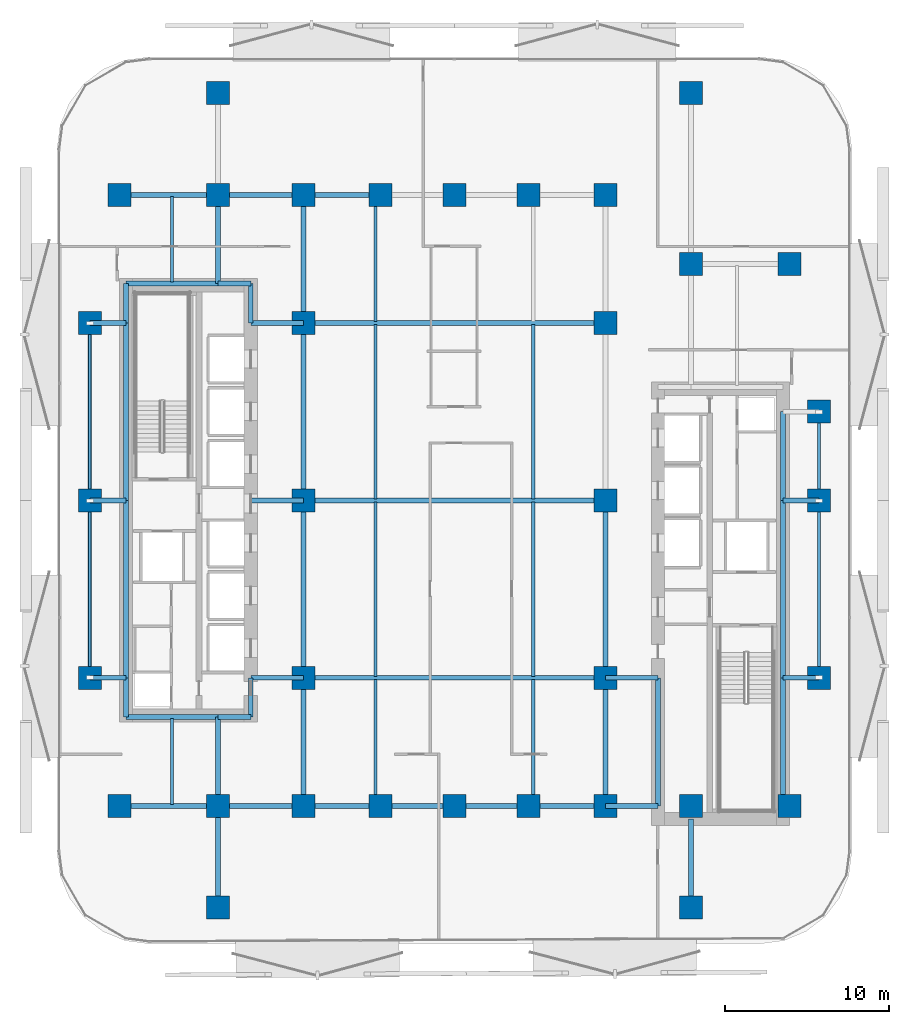
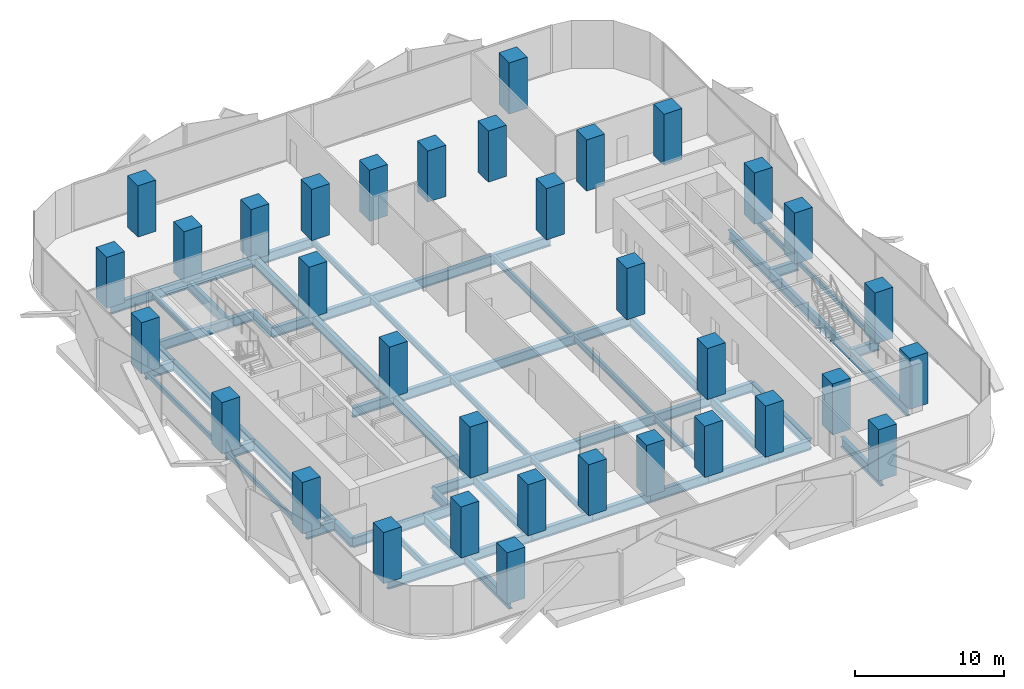
# One storey, part 1 of 14: 59 beams, 34 columns.
"""IFC4 building model written with IfcOpenShell, lengths in metres."""

from ifc_helpers import new_model, si_unit, direction, frame, origin, origin_2d, place, context, subcontext, project, spatial, rectangle, hollow_rectangle, i_section, extrude, material, material_profile, profile_set, type_object, element, save


model = new_model("IFC4")

# Units and contexts
model_context = context("Model", 3, precision=1e-05, world=origin(), true_north=direction((0.0, 1.0)))
body_context = subcontext(model_context, "Body", "Model", "MODEL_VIEW")
ifc_project = project(units=[si_unit("LENGTHUNIT", "METRE"), si_unit("AREAUNIT", "SQUARE_METRE"), si_unit("VOLUMEUNIT", "CUBIC_METRE"), si_unit("PLANEANGLEUNIT", "RADIAN"), si_unit("MASSUNIT", "GRAM", prefix="KILO")], contexts=[model_context])

# Site, building, storey
site_placement = place(None, origin())
site = spatial("IfcSite", under=ifc_project, at=site_placement, CompositionType="ELEMENT")
building_placement = place(site_placement, origin())
building = spatial("IfcBuilding", under=site, at=building_placement, Name="Khairoan Windgate Tower", CompositionType="ELEMENT")
storey_placement = place(building_placement, frame((0.0, 0.0, 63.800048828125)))
storey = spatial("IfcBuildingStorey", under=building, at=storey_placement, Name="L15", CompositionType="ELEMENT", Elevation=63.800048828125)

# Columns
ifc_material_1 = material(Name="Concrete C60/75", Category="concrete")
ifc_material_profile_1 = material_profile(ifc_material_1, rectangle(XDim=1.39990234375, YDim=1.39990234375, at=origin_2d()))
ifc_profile_set_1 = profile_set([ifc_material_profile_1], Name="Concrete C60/75")
column_type = type_object("IfcColumnType", Name="Column C-T2 RC1400x1400", PredefinedType="COLUMN", material=ifc_profile_set_1)
for number, where, z_axis, x_axis, name in (
    (1, (-9.199951171875, -18.60009765625, 0.0), (0.0, 0.0, 1.0), (1.0, 0.0, 0.0), "Column L15-01"),
    (2, (-9.199951171875, -10.800048828125, 0.0), (0.0, 0.0, 1.0), (1.0, 0.0, 0.0), "Column L15-02"),
    (3, (-9.199951171875, 0.0, 0.0), (0.0, 0.0, 1.0), (1.0, 0.0, 0.0), "Column L15-03"),
    (4, (-9.199951171875, 10.800048828125, 0.0), (0.0, 0.0, 1.0), (1.0, 0.0, 0.0), "Column L15-04"),
    (5, (-9.199951171875, 18.60009765625, 0.0), (0.0, 0.0, 1.0), (1.0, 0.0, 0.0), "Column L15-05"),
    (6, (9.199951171875, -18.60009765625, 0.0), (0.0, 0.0, 1.0), (1.0, 0.0, 0.0), "Column L15-06"),
    (7, (9.199951171875, -10.800048828125, 0.0), (0.0, 0.0, 1.0), (1.0, 0.0, 0.0), "Column L15-07"),
    (8, (9.199951171875, 0.0, 0.0), (0.0, 0.0, 1.0), (1.0, 0.0, 0.0), "Column L15-08"),
    (9, (9.199951171875, 10.800048828125, 0.0), (0.0, 0.0, 1.0), (1.0, 0.0, 0.0), "Column L15-09"),
    (10, (9.199951171875, 18.60009765625, 0.0), (0.0, 0.0, 1.0), (1.0, 0.0, 0.0), "Column L15-10"),
    (11, (-20.39990234375, -18.60009765625, 0.0), (0.0, 0.0, 1.0), (1.0, 0.0, 0.0), "Column L15-11"),
    (12, (-20.39990234375, 18.60009765625, 0.0), (0.0, 0.0, 1.0), (1.0, 0.0, 0.0), "Column L15-12"),
    (13, (20.39990234375, -18.60009765625, 0.0), (0.0, 0.0, 1.0), (1.0, 0.0, 0.0), "Column L15-13"),
    (14, (20.39990234375, 14.39990234375, 0.0), (0.0, 0.0, 1.0), (1.0, 0.0, 0.0), "Column L15-14"),
    (15, (-14.39990234375, -18.60009765625, 0.0), (0.0, 0.0, 1.0), (1.0, 0.0, 0.0), "Column L15-15"),
    (16, (-14.39990234375, 18.60009765625, 0.0), (0.0, 0.0, 1.0), (1.0, 0.0, 0.0), "Column L15-16"),
    (17, (14.39990234375, -18.60009765625, 0.0), (0.0, 0.0, 1.0), (1.0, 0.0, 0.0), "Column L15-17"),
    (18, (14.39990234375, 14.39990234375, 0.0), (0.0, 0.0, 1.0), (1.0, 0.0, 0.0), "Column L15-18"),
    (19, (-4.5, -18.60009765625, 0.0), (0.0, 0.0, 1.0), (1.0, 0.0, 0.0), "Column L15-19"),
    (20, (0.0, -18.60009765625, 0.0), (0.0, 0.0, 1.0), (1.0, 0.0, 0.0), "Column L15-20"),
    (21, (4.5, -18.60009765625, 0.0), (0.0, 0.0, 1.0), (1.0, 0.0, 0.0), "Column L15-21"),
    (22, (-4.5, 18.60009765625, 0.0), (0.0, 0.0, 1.0), (1.0, 0.0, 0.0), "Column L15-22"),
    (23, (0.0, 18.60009765625, 0.0), (0.0, 0.0, 1.0), (1.0, 0.0, 0.0), "Column L15-23"),
    (24, (4.5, 18.60009765625, 0.0), (0.0, 0.0, 1.0), (1.0, 0.0, 0.0), "Column L15-24"),
    (25, (-22.199951171875, -10.800048828125, 0.0), (0.0, 0.0, 1.0), (1.0, 0.0, 0.0), "Column L15-25"),
    (26, (-22.199951171875, 0.0, 0.0), (0.0, 0.0, 1.0), (1.0, 0.0, 0.0), "Column L15-26"),
    (27, (-22.199951171875, 10.800048828125, 0.0), (0.0, 0.0, 1.0), (1.0, 0.0, 0.0), "Column L15-27"),
    (28, (22.199951171875, -10.800048828125, 0.0), (0.0, 0.0, 1.0), (1.0, 0.0, 0.0), "Column L15-28"),
    (29, (22.199951171875, 0.0, 0.0), (0.0, 0.0, 1.0), (1.0, 0.0, 0.0), "Column L15-29"),
    (30, (22.199951171875, 5.39990234375, 0.0), (0.0, 0.0, 1.0), (1.0, 0.0, 0.0), "Column L15-30"),
    (31, (-14.39990234375, -24.800048828125, 0.0), (0.0, 0.0, 1.0), (1.0, 0.0, 0.0), "Column L15-31"),
    (32, (-14.39990234375, 24.800048828125, 0.0), (0.0, 0.0, 1.0), (1.0, 0.0, 0.0), "Column L15-32"),
    (33, (14.39990234375, -24.800048828125, 0.0), (0.0, 0.0, 1.0), (1.0, 0.0, 0.0), "Column L15-33"),
    (34, (14.39990234375, 24.800048828125, 0.0), (0.0, 0.0, 1.0), (1.0, 0.0, 0.0), "Column L15-34"),
):
    element("IfcColumn", number, at=place(storey_placement, frame(where, z_axis=z_axis, x_axis=x_axis)), inside=storey, type_object=column_type, Name=name, PredefinedType="COLUMN", context=body_context, shape_type="SweptSolid", body=[
        extrude(rectangle(XDim=1.39990234375, YDim=1.39990234375, at=origin_2d()), origin(), (0.0, 0.0, 1.0), 4.199951171875),
    ])

# Beams
ifc_material_2 = material(Name="Steel S355", Category="steel")
ifc_material_profile_2 = material_profile(ifc_material_2, i_section(OverallWidth=0.300048828125, OverallDepth=0.800048828125, WebThickness=0.013916015625, FlangeThickness=0.02587890625, FilletRadius=0.028076171875, at=origin_2d()))
ifc_profile_set_2 = profile_set([ifc_material_profile_2], Name="Steel S355")
beam_type_1 = type_object("IfcBeamType", Name="Beam B-G2 H800x300x14x26", PredefinedType="BEAM", material=ifc_profile_set_2)
beam_1_placement = place(storey_placement, frame((-20.39990234375, -18.60009765625, -0.66015625), z_axis=(1.0, 0.0, 0.0), x_axis=(0.0, 1.0, 0.0)))
element("IfcBeam", 35, at=beam_1_placement, inside=storey, type_object=beam_type_1, Name="L15 E-W Primary Girder 01", PredefinedType="BEAM", context=body_context, shape_type="SweptSolid", body=[
    extrude(i_section(OverallWidth=0.300048828125, OverallDepth=0.800048828125, WebThickness=0.013916015625, FlangeThickness=0.02587890625, FilletRadius=0.028076171875, at=origin_2d()), origin(), (0.0, 0.0, 1.0), 6.0),
])
beam_2_placement = place(storey_placement, frame((-14.39990234375, -18.60009765625, -0.66015625), z_axis=(1.0, 0.0, 0.0), x_axis=(0.0, 1.0, 0.0)))
element("IfcBeam", 36, at=beam_2_placement, inside=storey, type_object=beam_type_1, Name="L15 E-W Primary Girder 02", PredefinedType="BEAM", context=body_context, shape_type="SweptSolid", body=[
    extrude(i_section(OverallWidth=0.300048828125, OverallDepth=0.800048828125, WebThickness=0.013916015625, FlangeThickness=0.02587890625, FilletRadius=0.028076171875, at=origin_2d()), origin(), (0.0, 0.0, 1.0), 5.199951171875),
])
beam_3_placement = place(storey_placement, frame((-9.199951171875, -18.60009765625, -0.66015625), z_axis=(1.0, 0.0, 0.0), x_axis=(0.0, 1.0, 0.0)))
element("IfcBeam", 37, at=beam_3_placement, inside=storey, type_object=beam_type_1, Name="L15 E-W Primary Girder 03", PredefinedType="BEAM", context=body_context, shape_type="SweptSolid", body=[
    extrude(i_section(OverallWidth=0.300048828125, OverallDepth=0.800048828125, WebThickness=0.013916015625, FlangeThickness=0.02587890625, FilletRadius=0.028076171875, at=origin_2d()), origin(), (0.0, 0.0, 1.0), 4.699951171875),
])
for number, where, z_axis, x_axis, name in (
    (38, (-4.5, -18.60009765625, -0.66015625), (1.0, 0.0, 0.0), (0.0, 1.0, 0.0), "L15 E-W Primary Girder 04"),
    (39, (0.0, -18.60009765625, -0.66015625), (1.0, 0.0, 0.0), (0.0, 1.0, 0.0), "L15 E-W Primary Girder 05"),
):
    element("IfcBeam", number, at=place(storey_placement, frame(where, z_axis=z_axis, x_axis=x_axis)), inside=storey, type_object=beam_type_1, Name=name, PredefinedType="BEAM", context=body_context, shape_type="SweptSolid", body=[
        extrude(i_section(OverallWidth=0.300048828125, OverallDepth=0.800048828125, WebThickness=0.013916015625, FlangeThickness=0.02587890625, FilletRadius=0.028076171875, at=origin_2d()), origin(), (0.0, 0.0, 1.0), 4.5),
    ])
beam_4_placement = place(storey_placement, frame((4.5, -18.60009765625, -0.66015625), z_axis=(1.0, 0.0, 0.0), x_axis=(0.0, 1.0, 0.0)))
element("IfcBeam", 40, at=beam_4_placement, inside=storey, type_object=beam_type_1, Name="L15 E-W Primary Girder 06", PredefinedType="BEAM", context=body_context, shape_type="SweptSolid", body=[
    extrude(i_section(OverallWidth=0.300048828125, OverallDepth=0.800048828125, WebThickness=0.013916015625, FlangeThickness=0.02587890625, FilletRadius=0.028076171875, at=origin_2d()), origin(), (0.0, 0.0, 1.0), 4.699951171875),
])
beam_5_placement = place(storey_placement, frame((9.199951171875, -18.60009765625, -0.66015625), z_axis=(1.0, 0.0, 0.0), x_axis=(0.0, 1.0, 0.0)))
element("IfcBeam", 41, at=beam_5_placement, inside=storey, type_object=beam_type_1, Name="L15 E-W Primary Girder 07", PredefinedType="BEAM", context=body_context, shape_type="SweptSolid", body=[
    extrude(i_section(OverallWidth=0.300048828125, OverallDepth=0.800048828125, WebThickness=0.013916015625, FlangeThickness=0.02587890625, FilletRadius=0.028076171875, at=origin_2d()), origin(), (0.0, 0.0, 1.0), 3.199951171875),
])
beam_6_placement = place(storey_placement, frame((-20.0, -13.199951171875, -0.66015625), z_axis=(1.0, 0.0, 0.0), x_axis=(0.0, 1.0, 0.0)))
element("IfcBeam", 42, at=beam_6_placement, inside=storey, type_object=beam_type_1, Name="L15 E-W Primary Girder 08", PredefinedType="BEAM", context=body_context, shape_type="SweptSolid", body=[
    extrude(i_section(OverallWidth=0.300048828125, OverallDepth=0.800048828125, WebThickness=0.013916015625, FlangeThickness=0.02587890625, FilletRadius=0.028076171875, at=origin_2d()), origin(), (0.0, 0.0, 1.0), 5.60009765625),
])
beam_7_placement = place(storey_placement, frame((-14.39990234375, -13.199951171875, -0.66015625), z_axis=(1.0, 0.0, 0.0), x_axis=(0.0, 1.0, 0.0)))
element("IfcBeam", 43, at=beam_7_placement, inside=storey, type_object=beam_type_1, Name="L15 E-W Primary Girder 09", PredefinedType="BEAM", context=body_context, shape_type="SweptSolid", body=[
    extrude(i_section(OverallWidth=0.300048828125, OverallDepth=0.800048828125, WebThickness=0.013916015625, FlangeThickness=0.02587890625, FilletRadius=0.028076171875, at=origin_2d()), origin(), (0.0, 0.0, 1.0), 2.0),
])
beam_8_placement = place(storey_placement, frame((-22.199951171875, -10.800048828125, -0.66015625), z_axis=(1.0, 0.0, 0.0), x_axis=(0.0, 1.0, 0.0)))
element("IfcBeam", 44, at=beam_8_placement, inside=storey, type_object=beam_type_1, Name="L15 E-W Primary Girder 10", PredefinedType="BEAM", context=body_context, shape_type="SweptSolid", body=[
    extrude(i_section(OverallWidth=0.300048828125, OverallDepth=0.800048828125, WebThickness=0.013916015625, FlangeThickness=0.02587890625, FilletRadius=0.028076171875, at=origin_2d()), origin(), (0.0, 0.0, 1.0), 2.199951171875),
])
beam_9_placement = place(storey_placement, frame((-12.39990234375, -10.800048828125, -0.66015625), z_axis=(1.0, 0.0, 0.0), x_axis=(0.0, 1.0, 0.0)))
element("IfcBeam", 45, at=beam_9_placement, inside=storey, type_object=beam_type_1, Name="L15 E-W Primary Girder 11", PredefinedType="BEAM", context=body_context, shape_type="SweptSolid", body=[
    extrude(i_section(OverallWidth=0.300048828125, OverallDepth=0.800048828125, WebThickness=0.013916015625, FlangeThickness=0.02587890625, FilletRadius=0.028076171875, at=origin_2d()), origin(), (0.0, 0.0, 1.0), 3.199951171875),
])
beam_10_placement = place(storey_placement, frame((-9.199951171875, -10.800048828125, -0.66015625), z_axis=(1.0, 0.0, 0.0), x_axis=(0.0, 1.0, 0.0)))
element("IfcBeam", 46, at=beam_10_placement, inside=storey, type_object=beam_type_1, Name="L15 E-W Primary Girder 12", PredefinedType="BEAM", context=body_context, shape_type="SweptSolid", body=[
    extrude(i_section(OverallWidth=0.300048828125, OverallDepth=0.800048828125, WebThickness=0.013916015625, FlangeThickness=0.02587890625, FilletRadius=0.028076171875, at=origin_2d()), origin(), (0.0, 0.0, 1.0), 18.39990234375),
])
beam_11_placement = place(storey_placement, frame((9.199951171875, -10.800048828125, -0.66015625), z_axis=(1.0, 0.0, 0.0), x_axis=(0.0, 1.0, 0.0)))
element("IfcBeam", 47, at=beam_11_placement, inside=storey, type_object=beam_type_1, Name="L15 E-W Primary Girder 13", PredefinedType="BEAM", context=body_context, shape_type="SweptSolid", body=[
    extrude(i_section(OverallWidth=0.300048828125, OverallDepth=0.800048828125, WebThickness=0.013916015625, FlangeThickness=0.02587890625, FilletRadius=0.028076171875, at=origin_2d()), origin(), (0.0, 0.0, 1.0), 3.199951171875),
])
for number, where, z_axis, x_axis, name in (
    (48, (20.0, -10.800048828125, -0.66015625), (1.0, 0.0, 0.0), (0.0, 1.0, 0.0), "L15 E-W Primary Girder 14"),
    (49, (-22.199951171875, 0.0, -0.66015625), (1.0, 0.0, 0.0), (0.0, 1.0, 0.0), "L15 E-W Primary Girder 15"),
):
    element("IfcBeam", number, at=place(storey_placement, frame(where, z_axis=z_axis, x_axis=x_axis)), inside=storey, type_object=beam_type_1, Name=name, PredefinedType="BEAM", context=body_context, shape_type="SweptSolid", body=[
        extrude(i_section(OverallWidth=0.300048828125, OverallDepth=0.800048828125, WebThickness=0.013916015625, FlangeThickness=0.02587890625, FilletRadius=0.028076171875, at=origin_2d()), origin(), (0.0, 0.0, 1.0), 2.199951171875),
    ])
beam_12_placement = place(storey_placement, frame((-12.39990234375, 0.0, -0.66015625), z_axis=(1.0, 0.0, 0.0), x_axis=(0.0, 1.0, 0.0)))
element("IfcBeam", 50, at=beam_12_placement, inside=storey, type_object=beam_type_1, Name="L15 E-W Primary Girder 16", PredefinedType="BEAM", context=body_context, shape_type="SweptSolid", body=[
    extrude(i_section(OverallWidth=0.300048828125, OverallDepth=0.800048828125, WebThickness=0.013916015625, FlangeThickness=0.02587890625, FilletRadius=0.028076171875, at=origin_2d()), origin(), (0.0, 0.0, 1.0), 3.199951171875),
])
beam_13_placement = place(storey_placement, frame((-9.199951171875, 0.0, -0.66015625), z_axis=(1.0, 0.0, 0.0), x_axis=(0.0, 1.0, 0.0)))
element("IfcBeam", 51, at=beam_13_placement, inside=storey, type_object=beam_type_1, Name="L15 E-W Primary Girder 17", PredefinedType="BEAM", context=body_context, shape_type="SweptSolid", body=[
    extrude(i_section(OverallWidth=0.300048828125, OverallDepth=0.800048828125, WebThickness=0.013916015625, FlangeThickness=0.02587890625, FilletRadius=0.028076171875, at=origin_2d()), origin(), (0.0, 0.0, 1.0), 18.39990234375),
])
for number, where, z_axis, x_axis, name in (
    (52, (20.0, 0.0, -0.66015625), (1.0, 0.0, 0.0), (0.0, 1.0, 0.0), "L15 E-W Primary Girder 18"),
    (53, (-22.199951171875, 10.800048828125, -0.66015625), (1.0, 0.0, 0.0), (0.0, 1.0, 0.0), "L15 E-W Primary Girder 22"),
):
    element("IfcBeam", number, at=place(storey_placement, frame(where, z_axis=z_axis, x_axis=x_axis)), inside=storey, type_object=beam_type_1, Name=name, PredefinedType="BEAM", context=body_context, shape_type="SweptSolid", body=[
        extrude(i_section(OverallWidth=0.300048828125, OverallDepth=0.800048828125, WebThickness=0.013916015625, FlangeThickness=0.02587890625, FilletRadius=0.028076171875, at=origin_2d()), origin(), (0.0, 0.0, 1.0), 2.199951171875),
    ])
beam_14_placement = place(storey_placement, frame((-12.39990234375, 10.800048828125, -0.66015625), z_axis=(1.0, 0.0, 0.0), x_axis=(0.0, 1.0, 0.0)))
element("IfcBeam", 54, at=beam_14_placement, inside=storey, type_object=beam_type_1, Name="L15 E-W Primary Girder 23", PredefinedType="BEAM", context=body_context, shape_type="SweptSolid", body=[
    extrude(i_section(OverallWidth=0.300048828125, OverallDepth=0.800048828125, WebThickness=0.013916015625, FlangeThickness=0.02587890625, FilletRadius=0.028076171875, at=origin_2d()), origin(), (0.0, 0.0, 1.0), 3.199951171875),
])
beam_15_placement = place(storey_placement, frame((-9.199951171875, 10.800048828125, -0.66015625), z_axis=(1.0, 0.0, 0.0), x_axis=(0.0, 1.0, 0.0)))
element("IfcBeam", 55, at=beam_15_placement, inside=storey, type_object=beam_type_1, Name="L15 E-W Primary Girder 24", PredefinedType="BEAM", context=body_context, shape_type="SweptSolid", body=[
    extrude(i_section(OverallWidth=0.300048828125, OverallDepth=0.800048828125, WebThickness=0.013916015625, FlangeThickness=0.02587890625, FilletRadius=0.028076171875, at=origin_2d()), origin(), (0.0, 0.0, 1.0), 18.39990234375),
])
beam_16_placement = place(storey_placement, frame((-20.0, 13.199951171875, -0.66015625), z_axis=(1.0, 0.0, 0.0), x_axis=(0.0, 1.0, 0.0)))
element("IfcBeam", 56, at=beam_16_placement, inside=storey, type_object=beam_type_1, Name="L15 E-W Primary Girder 25", PredefinedType="BEAM", context=body_context, shape_type="SweptSolid", body=[
    extrude(i_section(OverallWidth=0.300048828125, OverallDepth=0.800048828125, WebThickness=0.013916015625, FlangeThickness=0.02587890625, FilletRadius=0.028076171875, at=origin_2d()), origin(), (0.0, 0.0, 1.0), 5.60009765625),
])
beam_17_placement = place(storey_placement, frame((-14.39990234375, 13.199951171875, -0.66015625), z_axis=(1.0, 0.0, 0.0), x_axis=(0.0, 1.0, 0.0)))
element("IfcBeam", 57, at=beam_17_placement, inside=storey, type_object=beam_type_1, Name="L15 E-W Primary Girder 26", PredefinedType="BEAM", context=body_context, shape_type="SweptSolid", body=[
    extrude(i_section(OverallWidth=0.300048828125, OverallDepth=0.800048828125, WebThickness=0.013916015625, FlangeThickness=0.02587890625, FilletRadius=0.028076171875, at=origin_2d()), origin(), (0.0, 0.0, 1.0), 2.0),
])
beam_18_placement = place(storey_placement, frame((-20.39990234375, 18.60009765625, -0.66015625), z_axis=(1.0, 0.0, 0.0), x_axis=(0.0, 1.0, 0.0)))
element("IfcBeam", 58, at=beam_18_placement, inside=storey, type_object=beam_type_1, Name="L15 E-W Primary Girder 28", PredefinedType="BEAM", context=body_context, shape_type="SweptSolid", body=[
    extrude(i_section(OverallWidth=0.300048828125, OverallDepth=0.800048828125, WebThickness=0.013916015625, FlangeThickness=0.02587890625, FilletRadius=0.028076171875, at=origin_2d()), origin(), (0.0, 0.0, 1.0), 6.0),
])
beam_19_placement = place(storey_placement, frame((-14.39990234375, 18.60009765625, -0.66015625), z_axis=(1.0, 0.0, 0.0), x_axis=(0.0, 1.0, 0.0)))
element("IfcBeam", 59, at=beam_19_placement, inside=storey, type_object=beam_type_1, Name="L15 E-W Primary Girder 29", PredefinedType="BEAM", context=body_context, shape_type="SweptSolid", body=[
    extrude(i_section(OverallWidth=0.300048828125, OverallDepth=0.800048828125, WebThickness=0.013916015625, FlangeThickness=0.02587890625, FilletRadius=0.028076171875, at=origin_2d()), origin(), (0.0, 0.0, 1.0), 5.199951171875),
])
beam_20_placement = place(storey_placement, frame((-9.199951171875, 18.60009765625, -0.66015625), z_axis=(1.0, 0.0, 0.0), x_axis=(0.0, 1.0, 0.0)))
element("IfcBeam", 60, at=beam_20_placement, inside=storey, type_object=beam_type_1, Name="L15 E-W Primary Girder 30", PredefinedType="BEAM", context=body_context, shape_type="SweptSolid", body=[
    extrude(i_section(OverallWidth=0.300048828125, OverallDepth=0.800048828125, WebThickness=0.013916015625, FlangeThickness=0.02587890625, FilletRadius=0.028076171875, at=origin_2d()), origin(), (0.0, 0.0, 1.0), 4.699951171875),
])
beam_21_placement = place(storey_placement, frame((-20.0, -13.199951171875, -0.66015625), z_axis=(0.0, 1.0, 0.0), x_axis=(-1.0, 0.0, 0.0)))
element("IfcBeam", 61, at=beam_21_placement, inside=storey, type_object=beam_type_1, Name="L15 N-S Primary Beam 36", PredefinedType="BEAM", context=body_context, shape_type="SweptSolid", body=[
    extrude(i_section(OverallWidth=0.300048828125, OverallDepth=0.800048828125, WebThickness=0.013916015625, FlangeThickness=0.02587890625, FilletRadius=0.028076171875, at=origin_2d()), origin(), (0.0, 0.0, 1.0), 2.39990234375),
])
for number, where, z_axis, x_axis, name in (
    (62, (-20.0, -10.800048828125, -0.66015625), (0.0, 1.0, 0.0), (-1.0, 0.0, 0.0), "L15 N-S Primary Beam 37"),
    (63, (-20.0, 0.0, -0.66015625), (0.0, 1.0, 0.0), (-1.0, 0.0, 0.0), "L15 N-S Primary Beam 38"),
):
    element("IfcBeam", number, at=place(storey_placement, frame(where, z_axis=z_axis, x_axis=x_axis)), inside=storey, type_object=beam_type_1, Name=name, PredefinedType="BEAM", context=body_context, shape_type="SweptSolid", body=[
        extrude(i_section(OverallWidth=0.300048828125, OverallDepth=0.800048828125, WebThickness=0.013916015625, FlangeThickness=0.02587890625, FilletRadius=0.028076171875, at=origin_2d()), origin(), (0.0, 0.0, 1.0), 10.800048828125),
    ])
beam_22_placement = place(storey_placement, frame((-20.0, 10.800048828125, -0.66015625), z_axis=(0.0, 1.0, 0.0), x_axis=(-1.0, 0.0, 0.0)))
element("IfcBeam", 64, at=beam_22_placement, inside=storey, type_object=beam_type_1, Name="L15 N-S Primary Beam 39", PredefinedType="BEAM", context=body_context, shape_type="SweptSolid", body=[
    extrude(i_section(OverallWidth=0.300048828125, OverallDepth=0.800048828125, WebThickness=0.013916015625, FlangeThickness=0.02587890625, FilletRadius=0.028076171875, at=origin_2d()), origin(), (0.0, 0.0, 1.0), 2.39990234375),
])
beam_23_placement = place(storey_placement, frame((-14.39990234375, -24.800048828125, -0.66015625), z_axis=(0.0, 1.0, 0.0), x_axis=(-1.0, 0.0, 0.0)))
element("IfcBeam", 65, at=beam_23_placement, inside=storey, type_object=beam_type_1, Name="L15 N-S Primary Beam 40", PredefinedType="BEAM", context=body_context, shape_type="SweptSolid", body=[
    extrude(i_section(OverallWidth=0.300048828125, OverallDepth=0.800048828125, WebThickness=0.013916015625, FlangeThickness=0.02587890625, FilletRadius=0.028076171875, at=origin_2d()), origin(), (0.0, 0.0, 1.0), 6.199951171875),
])
for number, where, z_axis, x_axis, name in (
    (66, (-14.39990234375, -18.60009765625, -0.66015625), (0.0, 1.0, 0.0), (-1.0, 0.0, 0.0), "L15 N-S Primary Beam 41"),
    (67, (-14.39990234375, 13.199951171875, -0.66015625), (0.0, 1.0, 0.0), (-1.0, 0.0, 0.0), "L15 N-S Primary Beam 42"),
):
    element("IfcBeam", number, at=place(storey_placement, frame(where, z_axis=z_axis, x_axis=x_axis)), inside=storey, type_object=beam_type_1, Name=name, PredefinedType="BEAM", context=body_context, shape_type="SweptSolid", body=[
        extrude(i_section(OverallWidth=0.300048828125, OverallDepth=0.800048828125, WebThickness=0.013916015625, FlangeThickness=0.02587890625, FilletRadius=0.028076171875, at=origin_2d()), origin(), (0.0, 0.0, 1.0), 5.400146484375),
    ])
for number, where, z_axis, x_axis, name in (
    (68, (-12.39990234375, -13.199951171875, -0.66015625), (0.0, 1.0, 0.0), (-1.0, 0.0, 0.0), "L15 N-S Primary Beam 44"),
    (69, (-12.39990234375, 10.800048828125, -0.66015625), (0.0, 1.0, 0.0), (-1.0, 0.0, 0.0), "L15 N-S Primary Beam 45"),
):
    element("IfcBeam", number, at=place(storey_placement, frame(where, z_axis=z_axis, x_axis=x_axis)), inside=storey, type_object=beam_type_1, Name=name, PredefinedType="BEAM", context=body_context, shape_type="SweptSolid", body=[
        extrude(i_section(OverallWidth=0.300048828125, OverallDepth=0.800048828125, WebThickness=0.013916015625, FlangeThickness=0.02587890625, FilletRadius=0.028076171875, at=origin_2d()), origin(), (0.0, 0.0, 1.0), 2.39990234375),
    ])
beam_24_placement = place(storey_placement, frame((-9.199951171875, -18.60009765625, -0.66015625), z_axis=(0.0, 1.0, 0.0), x_axis=(-1.0, 0.0, 0.0)))
element("IfcBeam", 70, at=beam_24_placement, inside=storey, type_object=beam_type_1, Name="L15 N-S Primary Beam 46", PredefinedType="BEAM", context=body_context, shape_type="SweptSolid", body=[
    extrude(i_section(OverallWidth=0.300048828125, OverallDepth=0.800048828125, WebThickness=0.013916015625, FlangeThickness=0.02587890625, FilletRadius=0.028076171875, at=origin_2d()), origin(), (0.0, 0.0, 1.0), 7.800048828125),
])
for number, where, z_axis, x_axis, name in (
    (71, (-9.199951171875, -10.800048828125, -0.66015625), (0.0, 1.0, 0.0), (-1.0, 0.0, 0.0), "L15 N-S Primary Beam 47"),
    (72, (-9.199951171875, 0.0, -0.66015625), (0.0, 1.0, 0.0), (-1.0, 0.0, 0.0), "L15 N-S Primary Beam 48"),
):
    element("IfcBeam", number, at=place(storey_placement, frame(where, z_axis=z_axis, x_axis=x_axis)), inside=storey, type_object=beam_type_1, Name=name, PredefinedType="BEAM", context=body_context, shape_type="SweptSolid", body=[
        extrude(i_section(OverallWidth=0.300048828125, OverallDepth=0.800048828125, WebThickness=0.013916015625, FlangeThickness=0.02587890625, FilletRadius=0.028076171875, at=origin_2d()), origin(), (0.0, 0.0, 1.0), 10.800048828125),
    ])
for number, where, z_axis, x_axis, name in (
    (73, (-9.199951171875, 10.800048828125, -0.66015625), (0.0, 1.0, 0.0), (-1.0, 0.0, 0.0), "L15 N-S Primary Beam 49"),
    (74, (9.199951171875, -18.60009765625, -0.66015625), (0.0, 1.0, 0.0), (-1.0, 0.0, 0.0), "L15 N-S Primary Beam 50"),
):
    element("IfcBeam", number, at=place(storey_placement, frame(where, z_axis=z_axis, x_axis=x_axis)), inside=storey, type_object=beam_type_1, Name=name, PredefinedType="BEAM", context=body_context, shape_type="SweptSolid", body=[
        extrude(i_section(OverallWidth=0.300048828125, OverallDepth=0.800048828125, WebThickness=0.013916015625, FlangeThickness=0.02587890625, FilletRadius=0.028076171875, at=origin_2d()), origin(), (0.0, 0.0, 1.0), 7.800048828125),
    ])
beam_25_placement = place(storey_placement, frame((9.199951171875, -10.800048828125, -0.66015625), z_axis=(0.0, 1.0, 0.0), x_axis=(-1.0, 0.0, 0.0)))
element("IfcBeam", 75, at=beam_25_placement, inside=storey, type_object=beam_type_1, Name="L15 N-S Primary Beam 51", PredefinedType="BEAM", context=body_context, shape_type="SweptSolid", body=[
    extrude(i_section(OverallWidth=0.300048828125, OverallDepth=0.800048828125, WebThickness=0.013916015625, FlangeThickness=0.02587890625, FilletRadius=0.028076171875, at=origin_2d()), origin(), (0.0, 0.0, 1.0), 10.800048828125),
])
beam_26_placement = place(storey_placement, frame((12.39990234375, -18.60009765625, -0.66015625), z_axis=(0.0, 1.0, 0.0), x_axis=(-1.0, 0.0, 0.0)))
element("IfcBeam", 76, at=beam_26_placement, inside=storey, type_object=beam_type_1, Name="L15 N-S Primary Beam 54", PredefinedType="BEAM", context=body_context, shape_type="SweptSolid", body=[
    extrude(i_section(OverallWidth=0.300048828125, OverallDepth=0.800048828125, WebThickness=0.013916015625, FlangeThickness=0.02587890625, FilletRadius=0.028076171875, at=origin_2d()), origin(), (0.0, 0.0, 1.0), 7.800048828125),
])
beam_27_placement = place(storey_placement, frame((14.39990234375, -24.800048828125, -0.66015625), z_axis=(0.0, 1.0, 0.0), x_axis=(-1.0, 0.0, 0.0)))
element("IfcBeam", 77, at=beam_27_placement, inside=storey, type_object=beam_type_1, Name="L15 N-S Primary Beam 55", PredefinedType="BEAM", context=body_context, shape_type="SweptSolid", body=[
    extrude(i_section(OverallWidth=0.300048828125, OverallDepth=0.800048828125, WebThickness=0.013916015625, FlangeThickness=0.02587890625, FilletRadius=0.028076171875, at=origin_2d()), origin(), (0.0, 0.0, 1.0), 5.400146484375),
])
beam_28_placement = place(storey_placement, frame((20.0, -18.60009765625, -0.66015625), z_axis=(0.0, 1.0, 0.0), x_axis=(-1.0, 0.0, 0.0)))
element("IfcBeam", 78, at=beam_28_placement, inside=storey, type_object=beam_type_1, Name="L15 N-S Primary Beam 58", PredefinedType="BEAM", context=body_context, shape_type="SweptSolid", body=[
    extrude(i_section(OverallWidth=0.300048828125, OverallDepth=0.800048828125, WebThickness=0.013916015625, FlangeThickness=0.02587890625, FilletRadius=0.028076171875, at=origin_2d()), origin(), (0.0, 0.0, 1.0), 7.800048828125),
])
beam_29_placement = place(storey_placement, frame((20.0, -10.800048828125, -0.66015625), z_axis=(0.0, 1.0, 0.0), x_axis=(-1.0, 0.0, 0.0)))
element("IfcBeam", 79, at=beam_29_placement, inside=storey, type_object=beam_type_1, Name="L15 N-S Primary Beam 59", PredefinedType="BEAM", context=body_context, shape_type="SweptSolid", body=[
    extrude(i_section(OverallWidth=0.300048828125, OverallDepth=0.800048828125, WebThickness=0.013916015625, FlangeThickness=0.02587890625, FilletRadius=0.028076171875, at=origin_2d()), origin(), (0.0, 0.0, 1.0), 10.800048828125),
])
beam_30_placement = place(storey_placement, frame((20.0, 0.0, -0.66015625), z_axis=(0.0, 1.0, 0.0), x_axis=(-1.0, 0.0, 0.0)))
element("IfcBeam", 80, at=beam_30_placement, inside=storey, type_object=beam_type_1, Name="L15 N-S Primary Beam 60", PredefinedType="BEAM", context=body_context, shape_type="SweptSolid", body=[
    extrude(i_section(OverallWidth=0.300048828125, OverallDepth=0.800048828125, WebThickness=0.013916015625, FlangeThickness=0.02587890625, FilletRadius=0.028076171875, at=origin_2d()), origin(), (0.0, 0.0, 1.0), 5.39990234375),
])
ifc_material_3 = material(Name="Steel S355", Category="steel")
ifc_material_profile_3 = material_profile(ifc_material_3, i_section(OverallWidth=0.199951171875, OverallDepth=0.5, WebThickness=0.010009765625, FlangeThickness=0.01611328125, FilletRadius=0.02001953125, at=origin_2d()))
ifc_profile_set_3 = profile_set([ifc_material_profile_3], Name="Steel S355")
beam_type_2 = type_object("IfcBeamType", Name="Beam J-S2 H500x200x10x16", PredefinedType="JOIST", material=ifc_profile_set_3)
for number, where, z_axis, x_axis, name in (
    (81, (-17.199951171875, -18.510009765625, -0.510009765625), (0.0, 1.0, 0.0), (-1.0, 0.0, 0.0), "L15 Secondary Floor Joist 01"),
    (82, (-17.199951171875, 13.2900390625, -0.510009765625), (0.0, 1.0, 0.0), (-1.0, 0.0, 0.0), "L15 Secondary Floor Joist 02"),
):
    element("IfcBeam", number, at=place(storey_placement, frame(where, z_axis=z_axis, x_axis=x_axis)), inside=storey, type_object=beam_type_2, Name=name, PredefinedType="JOIST", context=body_context, shape_type="SweptSolid", body=[
        extrude(i_section(OverallWidth=0.199951171875, OverallDepth=0.5, WebThickness=0.010009765625, FlangeThickness=0.01611328125, FilletRadius=0.02001953125, at=origin_2d()), origin(), (0.0, 0.0, 1.0), 5.219970703125),
    ])
beam_31_placement = place(storey_placement, frame((-4.800048828125, -18.510009765625, -0.510009765625), z_axis=(0.0, 1.0, 0.0), x_axis=(-1.0, 0.0, 0.0)))
element("IfcBeam", 83, at=beam_31_placement, inside=storey, type_object=beam_type_2, Name="L15 Secondary Floor Joist 03", PredefinedType="JOIST", context=body_context, shape_type="SweptSolid", body=[
    extrude(i_section(OverallWidth=0.199951171875, OverallDepth=0.5, WebThickness=0.010009765625, FlangeThickness=0.01611328125, FilletRadius=0.02001953125, at=origin_2d()), origin(), (0.0, 0.0, 1.0), 7.6201171875),
])
for number, where, z_axis, x_axis, name in (
    (84, (-4.800048828125, -10.7099609375, -0.510009765625), (0.0, 1.0, 0.0), (-1.0, 0.0, 0.0), "L15 Secondary Floor Joist 04"),
    (85, (-4.800048828125, 0.090087890625, -0.510009765625), (0.0, 1.0, 0.0), (-1.0, 0.0, 0.0), "L15 Secondary Floor Joist 05"),
):
    element("IfcBeam", number, at=place(storey_placement, frame(where, z_axis=z_axis, x_axis=x_axis)), inside=storey, type_object=beam_type_2, Name=name, PredefinedType="JOIST", context=body_context, shape_type="SweptSolid", body=[
        extrude(i_section(OverallWidth=0.199951171875, OverallDepth=0.5, WebThickness=0.010009765625, FlangeThickness=0.01611328125, FilletRadius=0.02001953125, at=origin_2d()), origin(), (0.0, 0.0, 1.0), 10.619873046875),
    ])
for number, where, z_axis, x_axis, name in (
    (86, (-4.800048828125, 10.889892578125, -0.510009765625), (0.0, 1.0, 0.0), (-1.0, 0.0, 0.0), "L15 Secondary Floor Joist 06"),
    (87, (4.800048828125, -18.510009765625, -0.510009765625), (0.0, 1.0, 0.0), (-1.0, 0.0, 0.0), "L15 Secondary Floor Joist 07"),
):
    element("IfcBeam", number, at=place(storey_placement, frame(where, z_axis=z_axis, x_axis=x_axis)), inside=storey, type_object=beam_type_2, Name=name, PredefinedType="JOIST", context=body_context, shape_type="SweptSolid", body=[
        extrude(i_section(OverallWidth=0.199951171875, OverallDepth=0.5, WebThickness=0.010009765625, FlangeThickness=0.01611328125, FilletRadius=0.02001953125, at=origin_2d()), origin(), (0.0, 0.0, 1.0), 7.6201171875),
    ])
for number, where, z_axis, x_axis, name in (
    (88, (4.800048828125, -10.7099609375, -0.510009765625), (0.0, 1.0, 0.0), (-1.0, 0.0, 0.0), "L15 Secondary Floor Joist 08"),
    (89, (4.800048828125, 0.090087890625, -0.510009765625), (0.0, 1.0, 0.0), (-1.0, 0.0, 0.0), "L15 Secondary Floor Joist 09"),
):
    element("IfcBeam", number, at=place(storey_placement, frame(where, z_axis=z_axis, x_axis=x_axis)), inside=storey, type_object=beam_type_2, Name=name, PredefinedType="JOIST", context=body_context, shape_type="SweptSolid", body=[
        extrude(i_section(OverallWidth=0.199951171875, OverallDepth=0.5, WebThickness=0.010009765625, FlangeThickness=0.01611328125, FilletRadius=0.02001953125, at=origin_2d()), origin(), (0.0, 0.0, 1.0), 10.619873046875),
    ])
ifc_material_4 = material(Name="Steel S355", Category="steel")
ifc_material_profile_4 = material_profile(ifc_material_4, hollow_rectangle(XDim=0.199951171875, YDim=0.39990234375, WallThickness=0.013916015625, InnerFilletRadius=0.013916015625, OuterFilletRadius=0.028076171875, at=origin_2d()))
ifc_profile_set_4 = profile_set([ifc_material_profile_4], Name="Steel S355")
beam_type_3 = type_object("IfcBeamType", Name="Beam SP-B1 RHS400x200x14", PredefinedType="SPANDREL", material=ifc_profile_set_4)
for number, where, z_axis, x_axis, name in (
    (90, (-22.199951171875, -10.800048828125, -0.4599609375), (0.0, 1.0, 0.0), (-1.0, 0.0, 0.0), "L15 Spandrel Beam 34"),
    (91, (-22.199951171875, 0.0, -0.4599609375), (0.0, 1.0, 0.0), (-1.0, 0.0, 0.0), "L15 Spandrel Beam 35"),
    (92, (22.199951171875, -10.800048828125, -0.4599609375), (0.0, 1.0, 0.0), (-1.0, 0.0, 0.0), "L15 Spandrel Beam 61"),
):
    element("IfcBeam", number, at=place(storey_placement, frame(where, z_axis=z_axis, x_axis=x_axis)), inside=storey, type_object=beam_type_3, Name=name, PredefinedType="SPANDREL", context=body_context, shape_type="SweptSolid", body=[
        extrude(hollow_rectangle(XDim=0.199951171875, YDim=0.39990234375, WallThickness=0.013916015625, InnerFilletRadius=0.013916015625, OuterFilletRadius=0.028076171875, at=origin_2d()), origin(), (0.0, 0.0, 1.0), 10.800048828125),
    ])
beam_32_placement = place(storey_placement, frame((22.199951171875, 0.0, -0.4599609375), z_axis=(0.0, 1.0, 0.0), x_axis=(-1.0, 0.0, 0.0)))
element("IfcBeam", 93, at=beam_32_placement, inside=storey, type_object=beam_type_3, Name="L15 Spandrel Beam 62", PredefinedType="SPANDREL", context=body_context, shape_type="SweptSolid", body=[
    extrude(hollow_rectangle(XDim=0.199951171875, YDim=0.39990234375, WallThickness=0.013916015625, InnerFilletRadius=0.013916015625, OuterFilletRadius=0.028076171875, at=origin_2d()), origin(), (0.0, 0.0, 1.0), 5.39990234375),
])

save(model, "model.ifc")
